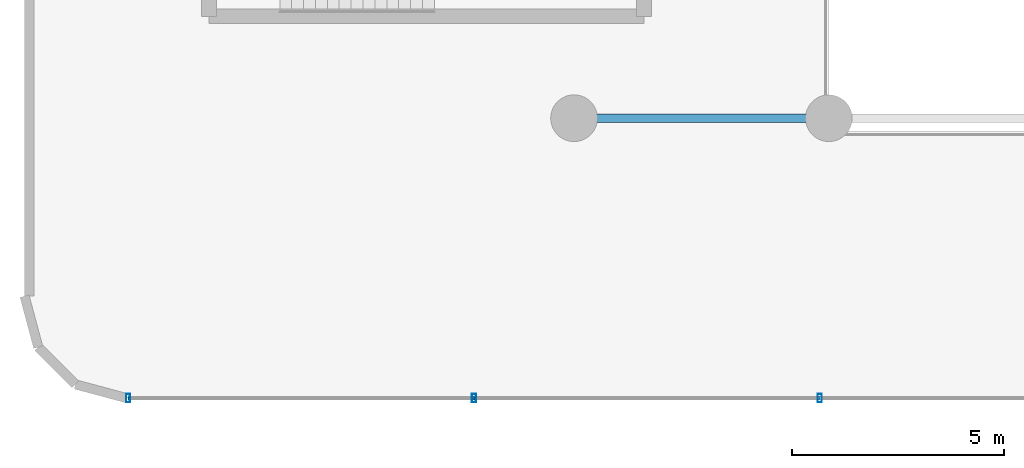
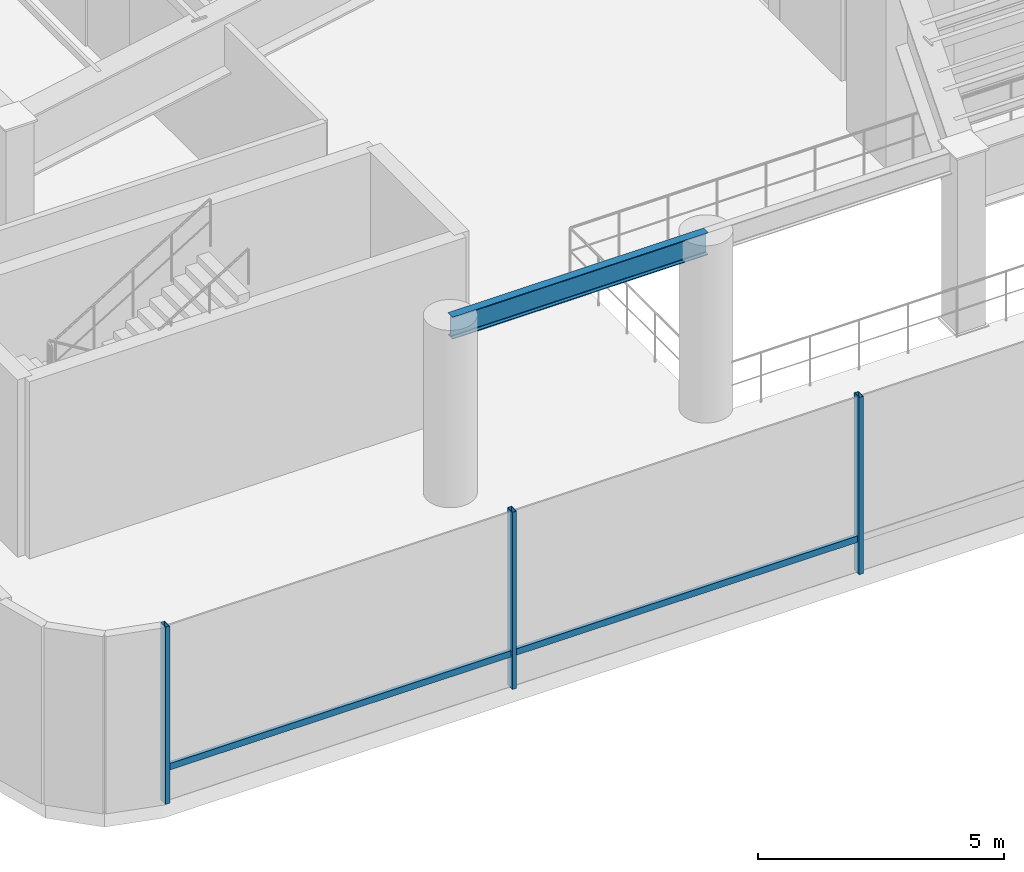
# One storey, part 2 of 22: 5 members, 1 beam, 1 element without a shape of its own.
"""IFC4 building model written with IfcOpenShell, lengths in metres."""

from ifc_helpers import new_model, si_unit, direction, frame, origin, origin_2d, place, context, subcontext, project, spatial, hollow_rectangle, i_section, extrude, source, transform, mapped, material, material_profile, profile_set, type_object, element, aggregate, save


model = new_model("IFC4")

# Units and contexts
model_context = context("Model", 3, precision=1e-05, world=origin(), true_north=direction((0.0, 1.0)))
body_context = subcontext(model_context, "Body", "Model", "MODEL_VIEW")
ifc_project = project(units=[si_unit("LENGTHUNIT", "METRE"), si_unit("AREAUNIT", "SQUARE_METRE"), si_unit("VOLUMEUNIT", "CUBIC_METRE"), si_unit("PLANEANGLEUNIT", "RADIAN"), si_unit("MASSUNIT", "GRAM", prefix="KILO")], contexts=[model_context])

# Site, building, storey
site_placement = place(None, origin())
site = spatial("IfcSite", under=ifc_project, at=site_placement, CompositionType="ELEMENT")
building_placement = place(site_placement, origin())
building = spatial("IfcBuilding", under=site, at=building_placement, Name="Sahyath Konkavel Grand Hotel", CompositionType="ELEMENT")
storey_placement = place(building_placement, frame((0.0, 0.0, 9.300048828125)))
storey = spatial("IfcBuildingStorey", under=building, at=storey_placement, Name="L02", CompositionType="ELEMENT", Elevation=9.300048828125)

# Beam
ifc_material_1 = material(Name="Steel E350", Category="steel")
ifc_material_profile_1 = material_profile(ifc_material_1, i_section(OverallWidth=0.18994140625, OverallDepth=0.550048828125, WebThickness=0.01123046875, FlangeThickness=0.019287109375, FilletRadius=0.01806640625, at=origin_2d()), Name="ISMB 550")
ifc_profile_set_1 = profile_set([ifc_material_profile_1], Name="Steel E350")
beam_type = type_object("IfcBeamType", Name="BM-ISMB550", PredefinedType="BEAM", material=ifc_profile_set_1)
shared_shape_1 = source(origin(), body_context, "Body", "SweptSolid", [
    extrude(i_section(OverallWidth=0.18994140625, OverallDepth=0.550048828125, WebThickness=0.01123046875, FlangeThickness=0.019287109375, FilletRadius=0.01806640625, at=origin_2d()), origin(), (0.0, 0.0, 1.0), 6.0),
])
beam_placement = place(storey_placement, frame((-18.0, -16.5, 4.125), z_axis=(1.0, 0.0, 0.0), x_axis=(0.0, 1.0, 0.0)))
element("IfcBeam", 1, at=beam_placement, inside=storey, type_object=beam_type, Name="str:bm:L02:POD-05", PredefinedType="BEAM", context=body_context, shape_type="MappedRepresentation", body=[
    mapped(shared_shape_1, transform((0.0, 0.0, 0.0), scale=1.0)),
])

# Curtain wall, members
ifc_material_2 = material(Name="Anodised Bronze Aluminium & Low-E Glazing", Category="aluminium")
curtain_wall_type = type_object("IfcCurtainWallType", Name="CW-PODIUM", PredefinedType="NOTDEFINED", material=ifc_material_2)
curtain_wall_placement = place(storey_placement, origin())
curtain_wall = element("IfcCurtainWall", 2, at=curtain_wall_placement, inside=storey, type_object=curtain_wall_type, Name="L02 Unitised Curtain Wall S", PredefinedType="NOTDEFINED")
ifc_material_3 = material(Name="Anodised Bronze Aluminium", Category="aluminium")
ifc_material_profile_2 = material_profile(ifc_material_3, hollow_rectangle(XDim=0.10009765625, YDim=0.199951171875, WallThickness=0.008056640625, at=origin_2d()), Name="RHS 200x100x8")
ifc_profile_set_2 = profile_set([ifc_material_profile_2], Name="Anodised Bronze Aluminium")
member_type_1 = type_object("IfcMemberType", Name="CW-MUL-200", PredefinedType="MULLION", material=ifc_profile_set_2)
shared_shape_2 = source(origin(), body_context, "Body", "SweptSolid", [
    extrude(hollow_rectangle(XDim=0.10009765625, YDim=0.199951171875, WallThickness=0.008056640625, at=origin_2d()), origin(), (0.0, 0.0, 1.0), 4.39990234375),
])
member_1_placement = place(storey_placement, frame((-28.5009765625, -23.092041015625, 0.0), z_axis=(0.0, 0.0, 1.0), x_axis=(1.0, 0.0, 0.0)))
member_1 = element("IfcMember", 3, at=member_1_placement, type_object=member_type_1, Name="L02 Curtain Wall Mullion S-0", PredefinedType="MULLION", context=body_context, shape_type="MappedRepresentation", body=[
    mapped(shared_shape_2, transform((0.0, 0.0, 0.0), scale=1.0)),
])
member_2_placement = place(storey_placement, frame((-20.35791015625, -23.092041015625, 0.0), z_axis=(0.0, 0.0, 1.0), x_axis=(1.0, 0.0, 0.0)))
member_2 = element("IfcMember", 4, at=member_2_placement, type_object=member_type_1, Name="L02 Curtain Wall Mullion S-1", PredefinedType="MULLION", context=body_context, shape_type="MappedRepresentation", body=[
    mapped(shared_shape_2, transform((0.0, 0.0, 0.0), scale=1.0)),
])
member_3_placement = place(storey_placement, frame((-12.214599609375, -23.092041015625, 0.0), z_axis=(0.0, 0.0, 1.0), x_axis=(1.0, 0.0, 0.0)))
member_3 = element("IfcMember", 5, at=member_3_placement, type_object=member_type_1, Name="L02 Curtain Wall Mullion S-2", PredefinedType="MULLION", context=body_context, shape_type="MappedRepresentation", body=[
    mapped(shared_shape_2, transform((0.0, 0.0, 0.0), scale=1.0)),
])
ifc_material_profile_3 = material_profile(ifc_material_3, hollow_rectangle(XDim=0.080078125, YDim=0.159912109375, WallThickness=0.006103515625, at=origin_2d()), Name="RHS 160x80x6")
ifc_profile_set_3 = profile_set([ifc_material_profile_3], Name="Anodised Bronze Aluminium")
member_type_2 = type_object("IfcMemberType", Name="CW-TRN-160", PredefinedType="USERDEFINED", material=ifc_profile_set_3)
shared_shape_3 = source(origin(), body_context, "Body", "SweptSolid", [
    extrude(hollow_rectangle(XDim=0.080078125, YDim=0.159912109375, WallThickness=0.006103515625, at=origin_2d()), origin(), (0.0, 0.0, 1.0), 8.14306640625),
])
member_4_placement = place(storey_placement, frame((-28.5009765625, -23.092041015625, 0.849853515625), z_axis=(1.0, 0.0, 0.0), x_axis=(0.0, 1.0, 0.0)))
member_4 = element("IfcMember", 6, at=member_4_placement, type_object=member_type_2, Name="L02 Curtain Wall Transom S-0-spandrel", ObjectType="TRANSOM", PredefinedType="USERDEFINED", context=body_context, shape_type="MappedRepresentation", body=[
    mapped(shared_shape_3, transform((0.0, 0.0, 0.0), scale=1.0)),
])
shared_shape_4 = source(origin(), body_context, "Body", "SweptSolid", [
    extrude(hollow_rectangle(XDim=0.080078125, YDim=0.159912109375, WallThickness=0.006103515625, at=origin_2d()), origin(), (0.0, 0.0, 1.0), 8.143310546875),
])
member_5_placement = place(storey_placement, frame((-20.35791015625, -23.092041015625, 0.849853515625), z_axis=(1.0, 0.0, 0.0), x_axis=(0.0, 1.0, 0.0)))
member_5 = element("IfcMember", 7, at=member_5_placement, type_object=member_type_2, Name="L02 Curtain Wall Transom S-1-spandrel", ObjectType="TRANSOM", PredefinedType="USERDEFINED", context=body_context, shape_type="MappedRepresentation", body=[
    mapped(shared_shape_4, transform((0.0, 0.0, 0.0), scale=1.0)),
])
aggregate(curtain_wall, [member_1, member_2, member_3, member_4, member_5])

save(model, "model.ifc")
